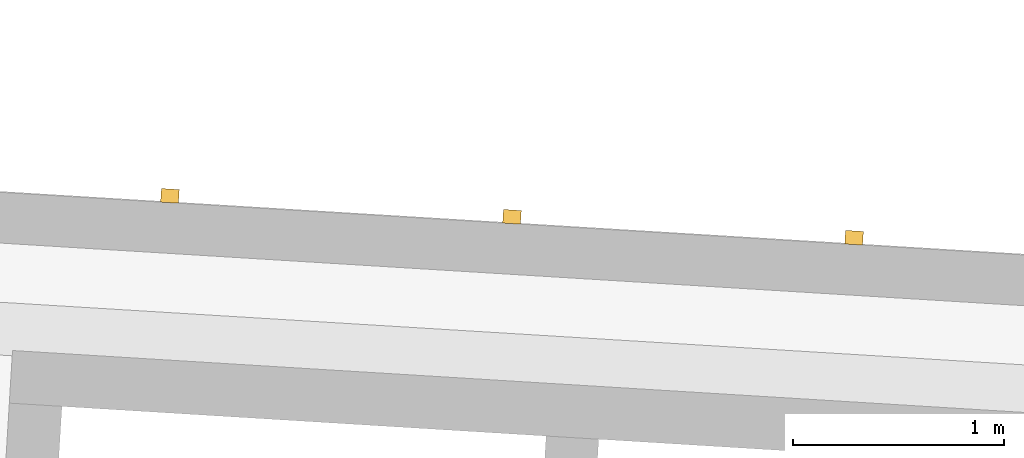
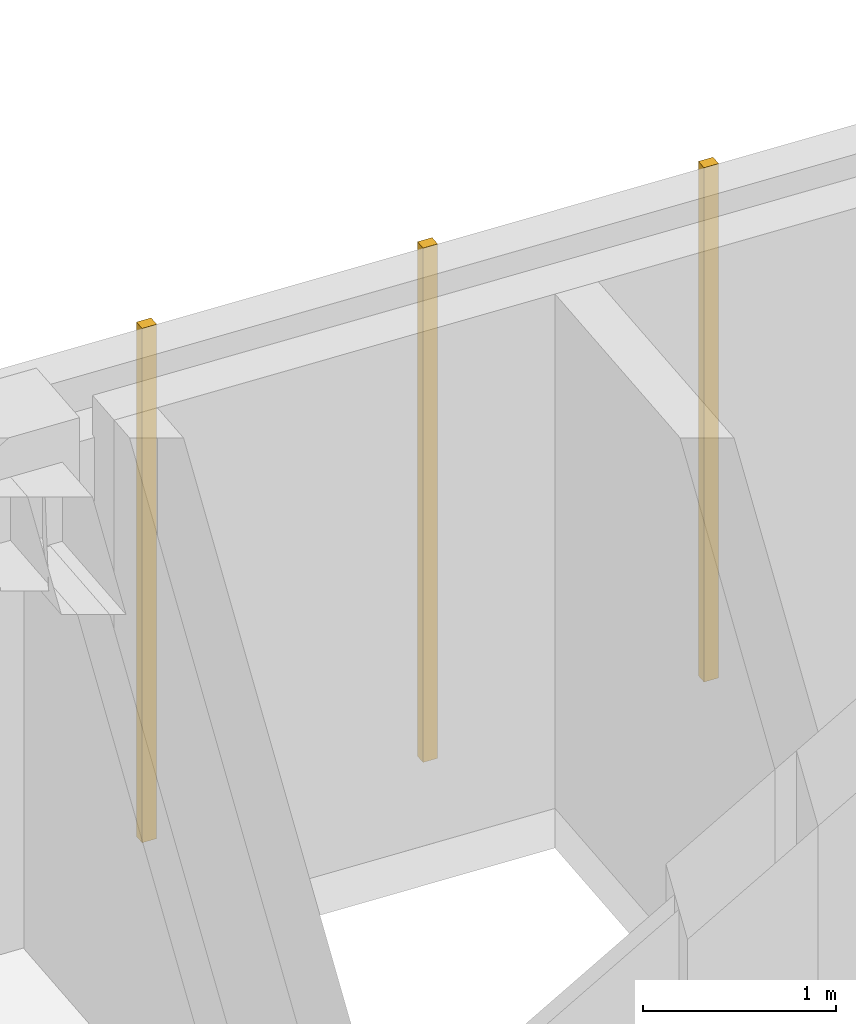
# One storey, part 43 of 74: 3 coverings.
"""IFC4 building model written with IfcOpenShell, lengths in metres."""

from ifc_helpers import new_model, si_unit, direction, frame, origin, origin_2d, place, context, subcontext, project, spatial, rectangle, extrude, material, layer, layer_set, type_object, element, save


model = new_model("IFC4")

# Units and contexts
model_context = context("Model", 3, precision=1e-05, world=origin(), true_north=direction((0.0, 1.0)))
body_context = subcontext(model_context, "Body", "Model", "MODEL_VIEW")
ifc_project = project(units=[si_unit("LENGTHUNIT", "METRE"), si_unit("AREAUNIT", "SQUARE_METRE"), si_unit("VOLUMEUNIT", "CUBIC_METRE"), si_unit("PLANEANGLEUNIT", "RADIAN"), si_unit("MASSUNIT", "GRAM", prefix="KILO")], contexts=[model_context])

# Site, building, storey
site_placement = place(None, origin())
site = spatial("IfcSite", under=ifc_project, at=site_placement, CompositionType="ELEMENT")
building_placement = place(site_placement, origin())
building = spatial("IfcBuilding", under=site, at=building_placement, Name="Kestramere Prow Commons", CompositionType="ELEMENT")
storey_placement = place(building_placement, frame((0.0, 0.0, 11.64990234375)))
storey = spatial("IfcBuildingStorey", under=building, at=storey_placement, Name="L03", CompositionType="ELEMENT", Elevation=11.64990234375)

# Coverings
ifc_material = material(Name="Weathered Zinc-Titanium Standing-Seam Cladding")
ifc_layer = layer(ifc_material, 0.074951171875)
ifc_layer_set = layer_set([ifc_layer], Name="Weathered Zinc-Titanium Standing-Seam Cladding")
covering_type = type_object("IfcCoveringType", Name="COV-CLAD-SEAM", PredefinedType="CLADDING", material=ifc_layer_set)
for number, where, z_axis, x_axis, name in (
    (1, (61.8359375, 66.672607421875, -0.25), (0.0, 0.0, 1.0), (0.998134798422, -0.061048539535, 0.0), "EW-C-L03-N-0 Standing-Seam Rib 1"),
    (2, (63.457763671875, 66.5732421875, -0.25), (0.0, 0.0, 1.0), (0.998134798422, -0.061048539535, 0.0), "EW-C-L03-N-0 Standing-Seam Rib 2"),
    (3, (65.079833984375, 66.47412109375, -0.25), (0.0, 0.0, 1.0), (0.998134798422, -0.061048539535, 0.0), "EW-C-L03-N-0 Standing-Seam Rib 3"),
):
    element("IfcCovering", number, at=place(storey_placement, frame(where, z_axis=z_axis, x_axis=x_axis)), inside=storey, type_object=covering_type, Name=name, PredefinedType="CLADDING", context=body_context, shape_type="SweptSolid", body=[
        extrude(rectangle(XDim=0.0849609375, YDim=0.06494140625, at=origin_2d()), origin(), (0.0, 0.0, 1.0), 3.25),
    ])

save(model, "model.ifc")
